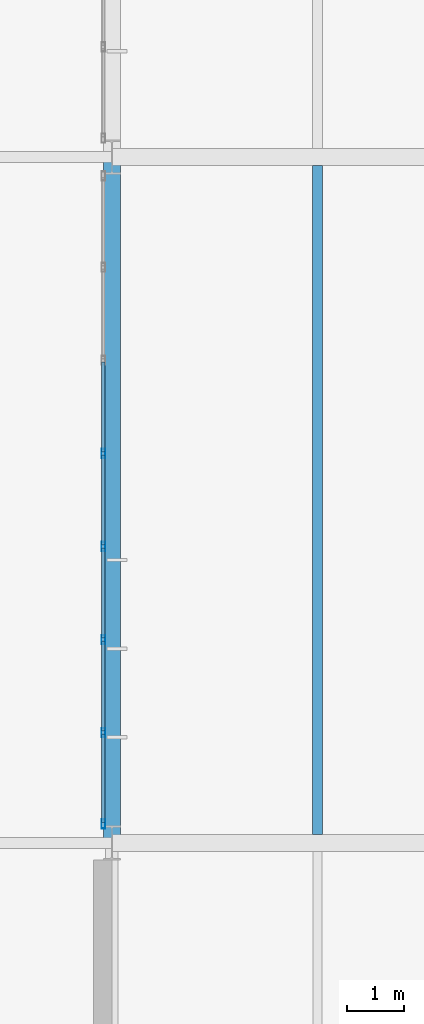
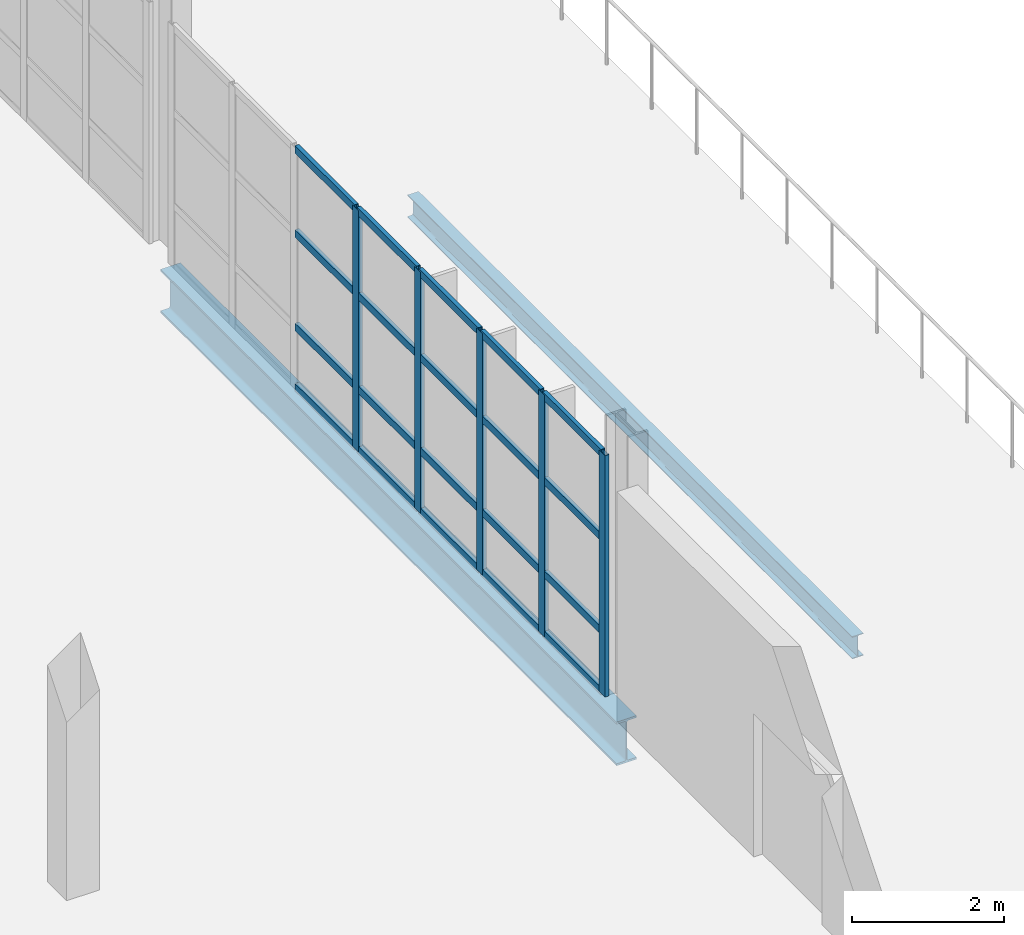
# One storey, part 76 of 109: 25 members, 2 beams, 1 element without a shape of its own.
"""IFC4 building model written with IfcOpenShell, lengths in metres."""

from ifc_helpers import new_model, si_unit, direction, frame, origin, origin_2d, place, context, subcontext, project, spatial, hollow_rectangle, i_section, extrude, material, material_profile, profile_set, type_object, element, aggregate, save


model = new_model("IFC4")

# Units and contexts
model_context = context("Model", 3, precision=1e-05, world=origin(), true_north=direction((0.0, 1.0)))
body_context = subcontext(model_context, "Body", "Model", "MODEL_VIEW")
ifc_project = project(units=[si_unit("LENGTHUNIT", "METRE"), si_unit("AREAUNIT", "SQUARE_METRE"), si_unit("VOLUMEUNIT", "CUBIC_METRE"), si_unit("PLANEANGLEUNIT", "RADIAN"), si_unit("MASSUNIT", "GRAM", prefix="KILO")], contexts=[model_context])

# Site, building, storey
site_placement = place(None, origin())
site = spatial("IfcSite", under=ifc_project, at=site_placement, CompositionType="ELEMENT")
building_placement = place(site_placement, origin())
building = spatial("IfcBuilding", under=site, at=building_placement, Name="Veltarok Museum of Natural Sciences", CompositionType="ELEMENT")
storey_placement = place(building_placement, frame((0.0, 0.0, 17.39990234375)))
storey = spatial("IfcBuildingStorey", under=building, at=storey_placement, Name="L03", CompositionType="ELEMENT", Elevation=17.39990234375)

# Curtain wall, members
ifc_material_1 = material(Name="Low-iron triple insulated glass", Category="glass")
curtain_wall_type = type_object("IfcCurtainWallType", Name="Curtain Wall System CW-V5E-L03-E-1140x388 (V5 East Lab L03 E-F 1140x388cm)", PredefinedType="NOTDEFINED", material=ifc_material_1)
curtain_wall_placement = place(storey_placement, origin())
curtain_wall = element("IfcCurtainWall", 1, at=curtain_wall_placement, inside=storey, type_object=curtain_wall_type, Name="Curtain Wall CW-V5E-L03-E-1140x388 CW-0118", PredefinedType="NOTDEFINED")
ifc_material_2 = material(Name="Thermally broken anodised aluminium", Category="aluminium")
ifc_material_profile_1 = material_profile(ifc_material_2, hollow_rectangle(XDim=0.06005859375, YDim=0.1201171875, WallThickness=0.0048828125, at=origin_2d()), Name="CW TRANSOM 60x120x5")
ifc_profile_set_1 = profile_set([ifc_material_profile_1], Name="Thermally broken anodised aluminium")
member_type_1 = type_object("IfcMemberType", Name="Curtain Wall Horizontal Transom 60x120x5", PredefinedType="USERDEFINED", material=ifc_profile_set_1)
member_1_placement = place(storey_placement, frame((157.449951171875, 36.360107421875, 0.030029296875), z_axis=(0.0, 1.0, 0.0), x_axis=(-1.0, 0.0, 0.0)))
member_1 = element("IfcMember", 2, at=member_1_placement, type_object=member_type_1, Name="CW-V5E-L03-E-1140x388 transom 1.1", ObjectType="TRANSOM", PredefinedType="USERDEFINED", context=body_context, shape_type="SweptSolid", body=[
    extrude(hollow_rectangle(XDim=0.06005859375, YDim=0.1201171875, WallThickness=0.0048828125, at=origin_2d()), origin(), (0.0, 0.0, 1.0), 1.53857421875),
])
member_2_placement = place(storey_placement, frame((157.449951171875, 36.360107421875, 1.0), z_axis=(0.0, 1.0, 0.0), x_axis=(-1.0, 0.0, 0.0)))
member_2 = element("IfcMember", 3, at=member_2_placement, type_object=member_type_1, Name="CW-V5E-L03-E-1140x388 transom 1.2", ObjectType="TRANSOM", PredefinedType="USERDEFINED", context=body_context, shape_type="SweptSolid", body=[
    extrude(hollow_rectangle(XDim=0.06005859375, YDim=0.1201171875, WallThickness=0.0048828125, at=origin_2d()), origin(), (0.0, 0.0, 1.0), 1.53857421875),
])
member_3_placement = place(storey_placement, frame((157.449951171875, 36.360107421875, 2.5), z_axis=(0.0, 1.0, 0.0), x_axis=(-1.0, 0.0, 0.0)))
member_3 = element("IfcMember", 4, at=member_3_placement, type_object=member_type_1, Name="CW-V5E-L03-E-1140x388 transom 1.3", ObjectType="TRANSOM", PredefinedType="USERDEFINED", context=body_context, shape_type="SweptSolid", body=[
    extrude(hollow_rectangle(XDim=0.06005859375, YDim=0.1201171875, WallThickness=0.0048828125, at=origin_2d()), origin(), (0.0, 0.0, 1.0), 1.53857421875),
])
member_4_placement = place(storey_placement, frame((157.449951171875, 36.360107421875, 3.85009765625), z_axis=(0.0, 1.0, 0.0), x_axis=(-1.0, 0.0, 0.0)))
member_4 = element("IfcMember", 5, at=member_4_placement, type_object=member_type_1, Name="CW-V5E-L03-E-1140x388 transom 1.4", ObjectType="TRANSOM", PredefinedType="USERDEFINED", context=body_context, shape_type="SweptSolid", body=[
    extrude(hollow_rectangle(XDim=0.06005859375, YDim=0.1201171875, WallThickness=0.0048828125, at=origin_2d()), origin(), (0.0, 0.0, 1.0), 1.53857421875),
])
member_5_placement = place(storey_placement, frame((157.449951171875, 37.95849609375, 0.030029296875), z_axis=(0.0, 1.0, 0.0), x_axis=(-1.0, 0.0, 0.0)))
member_5 = element("IfcMember", 6, at=member_5_placement, type_object=member_type_1, Name="CW-V5E-L03-E-1140x388 transom 2.1", ObjectType="TRANSOM", PredefinedType="USERDEFINED", context=body_context, shape_type="SweptSolid", body=[
    extrude(hollow_rectangle(XDim=0.06005859375, YDim=0.1201171875, WallThickness=0.0048828125, at=origin_2d()), origin(), (0.0, 0.0, 1.0), 1.568603515625),
])
member_6_placement = place(storey_placement, frame((157.449951171875, 37.95849609375, 1.0), z_axis=(0.0, 1.0, 0.0), x_axis=(-1.0, 0.0, 0.0)))
member_6 = element("IfcMember", 7, at=member_6_placement, type_object=member_type_1, Name="CW-V5E-L03-E-1140x388 transom 2.2", ObjectType="TRANSOM", PredefinedType="USERDEFINED", context=body_context, shape_type="SweptSolid", body=[
    extrude(hollow_rectangle(XDim=0.06005859375, YDim=0.1201171875, WallThickness=0.0048828125, at=origin_2d()), origin(), (0.0, 0.0, 1.0), 1.568603515625),
])
member_7_placement = place(storey_placement, frame((157.449951171875, 37.95849609375, 2.5), z_axis=(0.0, 1.0, 0.0), x_axis=(-1.0, 0.0, 0.0)))
member_7 = element("IfcMember", 8, at=member_7_placement, type_object=member_type_1, Name="CW-V5E-L03-E-1140x388 transom 2.3", ObjectType="TRANSOM", PredefinedType="USERDEFINED", context=body_context, shape_type="SweptSolid", body=[
    extrude(hollow_rectangle(XDim=0.06005859375, YDim=0.1201171875, WallThickness=0.0048828125, at=origin_2d()), origin(), (0.0, 0.0, 1.0), 1.568603515625),
])
member_8_placement = place(storey_placement, frame((157.449951171875, 37.95849609375, 3.85009765625), z_axis=(0.0, 1.0, 0.0), x_axis=(-1.0, 0.0, 0.0)))
member_8 = element("IfcMember", 9, at=member_8_placement, type_object=member_type_1, Name="CW-V5E-L03-E-1140x388 transom 2.4", ObjectType="TRANSOM", PredefinedType="USERDEFINED", context=body_context, shape_type="SweptSolid", body=[
    extrude(hollow_rectangle(XDim=0.06005859375, YDim=0.1201171875, WallThickness=0.0048828125, at=origin_2d()), origin(), (0.0, 0.0, 1.0), 1.568603515625),
])
member_9_placement = place(storey_placement, frame((157.449951171875, 39.587158203125, 0.030029296875), z_axis=(0.0, 1.0, 0.0), x_axis=(-1.0, 0.0, 0.0)))
member_9 = element("IfcMember", 10, at=member_9_placement, type_object=member_type_1, Name="CW-V5E-L03-E-1140x388 transom 3.1", ObjectType="TRANSOM", PredefinedType="USERDEFINED", context=body_context, shape_type="SweptSolid", body=[
    extrude(hollow_rectangle(XDim=0.06005859375, YDim=0.1201171875, WallThickness=0.0048828125, at=origin_2d()), origin(), (0.0, 0.0, 1.0), 1.568603515625),
])
member_10_placement = place(storey_placement, frame((157.449951171875, 39.587158203125, 1.0), z_axis=(0.0, 1.0, 0.0), x_axis=(-1.0, 0.0, 0.0)))
member_10 = element("IfcMember", 11, at=member_10_placement, type_object=member_type_1, Name="CW-V5E-L03-E-1140x388 transom 3.2", ObjectType="TRANSOM", PredefinedType="USERDEFINED", context=body_context, shape_type="SweptSolid", body=[
    extrude(hollow_rectangle(XDim=0.06005859375, YDim=0.1201171875, WallThickness=0.0048828125, at=origin_2d()), origin(), (0.0, 0.0, 1.0), 1.568603515625),
])
member_11_placement = place(storey_placement, frame((157.449951171875, 39.587158203125, 2.5), z_axis=(0.0, 1.0, 0.0), x_axis=(-1.0, 0.0, 0.0)))
member_11 = element("IfcMember", 12, at=member_11_placement, type_object=member_type_1, Name="CW-V5E-L03-E-1140x388 transom 3.3", ObjectType="TRANSOM", PredefinedType="USERDEFINED", context=body_context, shape_type="SweptSolid", body=[
    extrude(hollow_rectangle(XDim=0.06005859375, YDim=0.1201171875, WallThickness=0.0048828125, at=origin_2d()), origin(), (0.0, 0.0, 1.0), 1.568603515625),
])
member_12_placement = place(storey_placement, frame((157.449951171875, 39.587158203125, 3.85009765625), z_axis=(0.0, 1.0, 0.0), x_axis=(-1.0, 0.0, 0.0)))
member_12 = element("IfcMember", 13, at=member_12_placement, type_object=member_type_1, Name="CW-V5E-L03-E-1140x388 transom 3.4", ObjectType="TRANSOM", PredefinedType="USERDEFINED", context=body_context, shape_type="SweptSolid", body=[
    extrude(hollow_rectangle(XDim=0.06005859375, YDim=0.1201171875, WallThickness=0.0048828125, at=origin_2d()), origin(), (0.0, 0.0, 1.0), 1.568603515625),
])
member_13_placement = place(storey_placement, frame((157.449951171875, 41.2158203125, 0.030029296875), z_axis=(0.0, 1.0, 0.0), x_axis=(-1.0, 0.0, 0.0)))
member_13 = element("IfcMember", 14, at=member_13_placement, type_object=member_type_1, Name="CW-V5E-L03-E-1140x388 transom 4.1", ObjectType="TRANSOM", PredefinedType="USERDEFINED", context=body_context, shape_type="SweptSolid", body=[
    extrude(hollow_rectangle(XDim=0.06005859375, YDim=0.1201171875, WallThickness=0.0048828125, at=origin_2d()), origin(), (0.0, 0.0, 1.0), 1.568359375),
])
member_14_placement = place(storey_placement, frame((157.449951171875, 41.2158203125, 1.0), z_axis=(0.0, 1.0, 0.0), x_axis=(-1.0, 0.0, 0.0)))
member_14 = element("IfcMember", 15, at=member_14_placement, type_object=member_type_1, Name="CW-V5E-L03-E-1140x388 transom 4.2", ObjectType="TRANSOM", PredefinedType="USERDEFINED", context=body_context, shape_type="SweptSolid", body=[
    extrude(hollow_rectangle(XDim=0.06005859375, YDim=0.1201171875, WallThickness=0.0048828125, at=origin_2d()), origin(), (0.0, 0.0, 1.0), 1.568359375),
])
member_15_placement = place(storey_placement, frame((157.449951171875, 41.2158203125, 2.5), z_axis=(0.0, 1.0, 0.0), x_axis=(-1.0, 0.0, 0.0)))
member_15 = element("IfcMember", 16, at=member_15_placement, type_object=member_type_1, Name="CW-V5E-L03-E-1140x388 transom 4.3", ObjectType="TRANSOM", PredefinedType="USERDEFINED", context=body_context, shape_type="SweptSolid", body=[
    extrude(hollow_rectangle(XDim=0.06005859375, YDim=0.1201171875, WallThickness=0.0048828125, at=origin_2d()), origin(), (0.0, 0.0, 1.0), 1.568359375),
])
member_16_placement = place(storey_placement, frame((157.449951171875, 41.2158203125, 3.85009765625), z_axis=(0.0, 1.0, 0.0), x_axis=(-1.0, 0.0, 0.0)))
member_16 = element("IfcMember", 17, at=member_16_placement, type_object=member_type_1, Name="CW-V5E-L03-E-1140x388 transom 4.4", ObjectType="TRANSOM", PredefinedType="USERDEFINED", context=body_context, shape_type="SweptSolid", body=[
    extrude(hollow_rectangle(XDim=0.06005859375, YDim=0.1201171875, WallThickness=0.0048828125, at=origin_2d()), origin(), (0.0, 0.0, 1.0), 1.568359375),
])
member_17_placement = place(storey_placement, frame((157.449951171875, 42.84423828125, 0.030029296875), z_axis=(0.0, 1.0, 0.0), x_axis=(-1.0, 0.0, 0.0)))
member_17 = element("IfcMember", 18, at=member_17_placement, type_object=member_type_1, Name="CW-V5E-L03-E-1140x388 transom 5.1", ObjectType="TRANSOM", PredefinedType="USERDEFINED", context=body_context, shape_type="SweptSolid", body=[
    extrude(hollow_rectangle(XDim=0.06005859375, YDim=0.1201171875, WallThickness=0.0048828125, at=origin_2d()), origin(), (0.0, 0.0, 1.0), 1.568603515625),
])
member_18_placement = place(storey_placement, frame((157.449951171875, 42.84423828125, 1.0), z_axis=(0.0, 1.0, 0.0), x_axis=(-1.0, 0.0, 0.0)))
member_18 = element("IfcMember", 19, at=member_18_placement, type_object=member_type_1, Name="CW-V5E-L03-E-1140x388 transom 5.2", ObjectType="TRANSOM", PredefinedType="USERDEFINED", context=body_context, shape_type="SweptSolid", body=[
    extrude(hollow_rectangle(XDim=0.06005859375, YDim=0.1201171875, WallThickness=0.0048828125, at=origin_2d()), origin(), (0.0, 0.0, 1.0), 1.568603515625),
])
member_19_placement = place(storey_placement, frame((157.449951171875, 42.84423828125, 2.5), z_axis=(0.0, 1.0, 0.0), x_axis=(-1.0, 0.0, 0.0)))
member_19 = element("IfcMember", 20, at=member_19_placement, type_object=member_type_1, Name="CW-V5E-L03-E-1140x388 transom 5.3", ObjectType="TRANSOM", PredefinedType="USERDEFINED", context=body_context, shape_type="SweptSolid", body=[
    extrude(hollow_rectangle(XDim=0.06005859375, YDim=0.1201171875, WallThickness=0.0048828125, at=origin_2d()), origin(), (0.0, 0.0, 1.0), 1.568603515625),
])
member_20_placement = place(storey_placement, frame((157.449951171875, 42.84423828125, 3.85009765625), z_axis=(0.0, 1.0, 0.0), x_axis=(-1.0, 0.0, 0.0)))
member_20 = element("IfcMember", 21, at=member_20_placement, type_object=member_type_1, Name="CW-V5E-L03-E-1140x388 transom 5.4", ObjectType="TRANSOM", PredefinedType="USERDEFINED", context=body_context, shape_type="SweptSolid", body=[
    extrude(hollow_rectangle(XDim=0.06005859375, YDim=0.1201171875, WallThickness=0.0048828125, at=origin_2d()), origin(), (0.0, 0.0, 1.0), 1.568603515625),
])
ifc_material_profile_2 = material_profile(ifc_material_2, hollow_rectangle(XDim=0.06005859375, YDim=0.159912109375, WallThickness=0.0048828125, at=origin_2d()), Name="CW MULLION 60x160x5")
ifc_profile_set_2 = profile_set([ifc_material_profile_2], Name="Thermally broken anodised aluminium")
member_type_2 = type_object("IfcMemberType", Name="Curtain Wall Vertical Mullion 60x160x5", PredefinedType="MULLION", material=ifc_profile_set_2)
member_21_placement = place(storey_placement, frame((157.449951171875, 36.330078125, 0.0), z_axis=(0.0, 0.0, 1.0), x_axis=(-1.0, 0.0, 0.0)))
member_21 = element("IfcMember", 22, at=member_21_placement, type_object=member_type_2, Name="CW-V5E-L03-E-1140x388 mullion 1", PredefinedType="MULLION", context=body_context, shape_type="SweptSolid", body=[
    extrude(hollow_rectangle(XDim=0.06005859375, YDim=0.159912109375, WallThickness=0.0048828125, at=origin_2d()), origin(), (0.0, 0.0, 1.0), 3.880126953125),
])
member_22_placement = place(storey_placement, frame((157.449951171875, 37.928466796875, 0.0), z_axis=(0.0, 0.0, 1.0), x_axis=(-1.0, 0.0, 0.0)))
member_22 = element("IfcMember", 23, at=member_22_placement, type_object=member_type_2, Name="CW-V5E-L03-E-1140x388 mullion 2", PredefinedType="MULLION", context=body_context, shape_type="SweptSolid", body=[
    extrude(hollow_rectangle(XDim=0.06005859375, YDim=0.159912109375, WallThickness=0.0048828125, at=origin_2d()), origin(), (0.0, 0.0, 1.0), 3.880126953125),
])
member_23_placement = place(storey_placement, frame((157.449951171875, 39.55712890625, 0.0), z_axis=(0.0, 0.0, 1.0), x_axis=(-1.0, 0.0, 0.0)))
member_23 = element("IfcMember", 24, at=member_23_placement, type_object=member_type_2, Name="CW-V5E-L03-E-1140x388 mullion 3", PredefinedType="MULLION", context=body_context, shape_type="SweptSolid", body=[
    extrude(hollow_rectangle(XDim=0.06005859375, YDim=0.159912109375, WallThickness=0.0048828125, at=origin_2d()), origin(), (0.0, 0.0, 1.0), 3.880126953125),
])
member_24_placement = place(storey_placement, frame((157.449951171875, 41.185791015625, 0.0), z_axis=(0.0, 0.0, 1.0), x_axis=(-1.0, 0.0, 0.0)))
member_24 = element("IfcMember", 25, at=member_24_placement, type_object=member_type_2, Name="CW-V5E-L03-E-1140x388 mullion 4", PredefinedType="MULLION", context=body_context, shape_type="SweptSolid", body=[
    extrude(hollow_rectangle(XDim=0.06005859375, YDim=0.159912109375, WallThickness=0.0048828125, at=origin_2d()), origin(), (0.0, 0.0, 1.0), 3.880126953125),
])
member_25_placement = place(storey_placement, frame((157.449951171875, 42.814208984375, 0.0), z_axis=(0.0, 0.0, 1.0), x_axis=(-1.0, 0.0, 0.0)))
member_25 = element("IfcMember", 26, at=member_25_placement, type_object=member_type_2, Name="CW-V5E-L03-E-1140x388 mullion 5", PredefinedType="MULLION", context=body_context, shape_type="SweptSolid", body=[
    extrude(hollow_rectangle(XDim=0.06005859375, YDim=0.159912109375, WallThickness=0.0048828125, at=origin_2d()), origin(), (0.0, 0.0, 1.0), 3.880126953125),
])
aggregate(curtain_wall, [member_21, member_22, member_23, member_24, member_25, member_1, member_2, member_3, member_4, member_5, member_6, member_7, member_8, member_9, member_10, member_11, member_12, member_13, member_14, member_15, member_16, member_17, member_18, member_19, member_20])

# Beams
ifc_material_3 = material(Name="Steel S355J2", Category="steel")
ifc_material_profile_3 = material_profile(ifc_material_3, i_section(OverallWidth=0.169921875, OverallDepth=0.360107421875, WebThickness=0.008056640625, FlangeThickness=0.0126953125, FilletRadius=0.01806640625, at=origin_2d()), Name="IPE 360")
ifc_profile_set_3 = profile_set([ifc_material_profile_3], Name="Steel S355J2")
beam_type_1 = type_object("IfcBeamType", Name="Long-Bay Composite Joist IPE 360", PredefinedType="JOIST", material=ifc_profile_set_3)
beam_1_placement = place(storey_placement, frame((161.199951171875, 36.14794921875, -0.43994140625), z_axis=(0.0, 1.0, 0.0), x_axis=(-1.0, 0.0, 0.0)))
element("IfcBeam", 27, at=beam_1_placement, inside=storey, type_object=beam_type_1, Name="Secondary Joist BM-J01 L03 19-20/E-F.1", PredefinedType="JOIST", context=body_context, shape_type="SweptSolid", body=[
    extrude(i_section(OverallWidth=0.169921875, OverallDepth=0.360107421875, WebThickness=0.008056640625, FlangeThickness=0.0126953125, FilletRadius=0.01806640625, at=origin_2d()), origin(), (0.0, 0.0, 1.0), 11.7041015625),
])
ifc_material_profile_4 = material_profile(ifc_material_3, i_section(OverallWidth=0.300048828125, OverallDepth=0.699951171875, WebThickness=0.01708984375, FlangeThickness=0.031982421875, FilletRadius=0.027099609375, at=origin_2d()), Name="HEB 700")
ifc_profile_set_4 = profile_set([ifc_material_profile_4], Name="Steel S355J2")
beam_type_2 = type_object("IfcBeamType", Name="Long-Span Hall Girder HEB 700", PredefinedType="BEAM", material=ifc_profile_set_4)
beam_2_placement = place(storey_placement, frame((157.60009765625, 36.0, -0.60986328125), z_axis=(0.0, 1.0, 0.0), x_axis=(-1.0, 0.0, 0.0)))
element("IfcBeam", 28, at=beam_2_placement, inside=storey, type_object=beam_type_2, Name="Beam BM-G01 L03 19/E-F", PredefinedType="BEAM", context=body_context, shape_type="SweptSolid", body=[
    extrude(i_section(OverallWidth=0.300048828125, OverallDepth=0.699951171875, WebThickness=0.01708984375, FlangeThickness=0.031982421875, FilletRadius=0.027099609375, at=origin_2d()), origin(), (0.0, 0.0, 1.0), 12.0),
])

save(model, "model.ifc")
